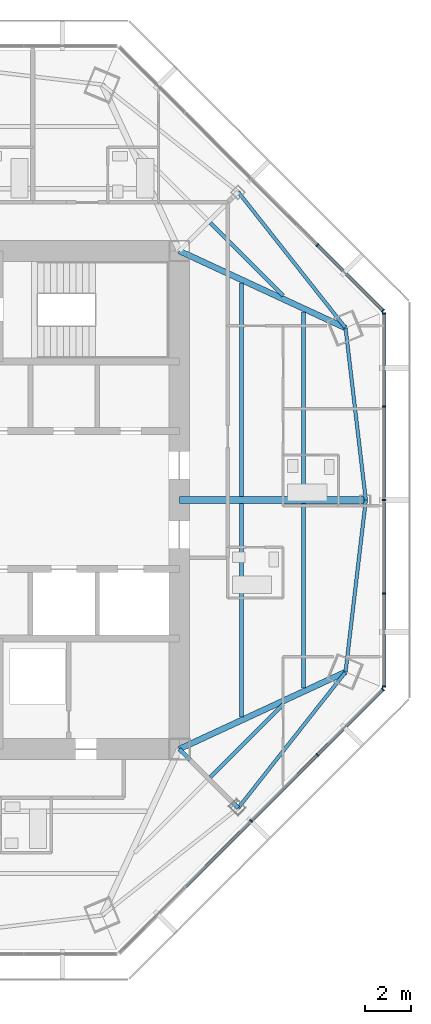
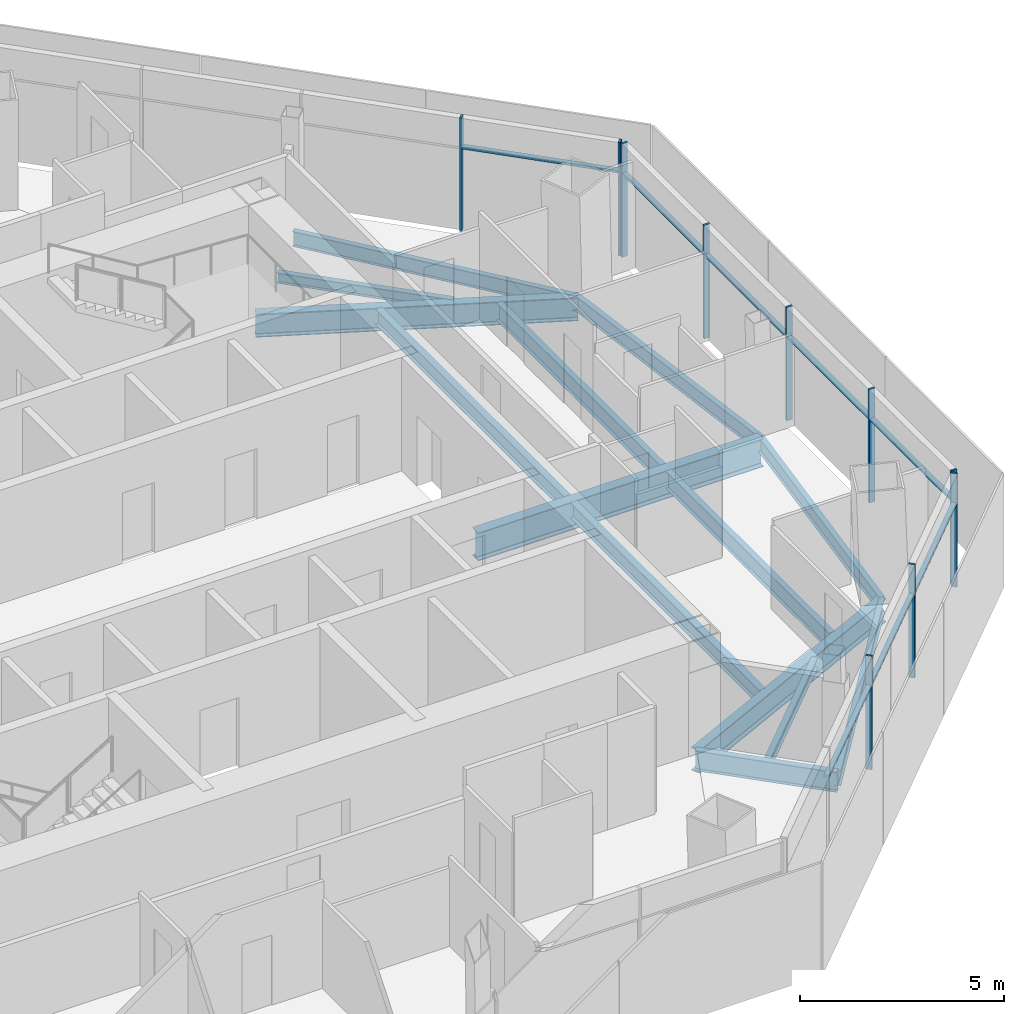
# One storey, part 5 of 15: 18 members, 14 beams, 3 elements without a shape of their own.
"""IFC4 building model written with IfcOpenShell, lengths in metres."""

from ifc_helpers import new_model, si_unit, direction, frame, origin, origin_2d, place, context, subcontext, project, spatial, rectangle, i_section, extrude, source, transform, mapped, material, material_profile, profile_set, type_object, type_shapes, element, aggregate, save


model = new_model("IFC4")

# Units and contexts
model_context = context("Model", 3, precision=1e-05, world=origin(), true_north=direction((0.0, 1.0)))
body_context = subcontext(model_context, "Body", "Model", "MODEL_VIEW")
ifc_project = project(units=[si_unit("LENGTHUNIT", "METRE"), si_unit("AREAUNIT", "SQUARE_METRE"), si_unit("VOLUMEUNIT", "CUBIC_METRE"), si_unit("PLANEANGLEUNIT", "RADIAN"), si_unit("MASSUNIT", "GRAM", prefix="KILO")], contexts=[model_context])

# Site, building, storey
site_placement = place(None, origin())
site = spatial("IfcSite", under=ifc_project, at=site_placement, CompositionType="ELEMENT")
building_placement = place(site_placement, origin())
building = spatial("IfcBuilding", under=site, at=building_placement, Name="Mashrafa Tower", CompositionType="ELEMENT")
storey_placement = place(building_placement, frame((0.0, 0.0, 294.60009765625)))
storey = spatial("IfcBuildingStorey", under=building, at=storey_placement, Name="L72", CompositionType="ELEMENT", Elevation=294.60009765625)

# Beams
ifc_material_1 = material(Name="Steel ASTM A992", Category="steel")
ifc_material_profile_1 = material_profile(ifc_material_1, i_section(OverallWidth=0.164794921875, OverallDepth=0.309814453125, WebThickness=0.005859375, FlangeThickness=0.009765625, FilletRadius=0.007568359375, at=origin_2d()), Name="W12X26")
ifc_profile_set_1 = profile_set([ifc_material_profile_1], Name="Steel ASTM A992")
beam_type_1 = type_object("IfcBeamType", Name="Beam W12X26", PredefinedType="BEAM", material=ifc_profile_set_1)
for number, where, z_axis, x_axis, name in (
    (1, (12.140380859375, 12.014404296875, -0.35498046875), (0.707106781187, -0.707106781187, 0.0), (0.707106781187, 0.707106781187, 0.0), "Floor beam L72 019"),
    (2, (15.298095703125, -8.856689453125, -0.35498046875), (-0.707106781187, -0.707106781187, 0.0), (0.707106781187, -0.707106781187, 0.0), "Floor beam L72 022"),
):
    element("IfcBeam", number, at=place(storey_placement, frame(where, z_axis=z_axis, x_axis=x_axis)), inside=storey, type_object=beam_type_1, Name=name, PredefinedType="BEAM", context=body_context, shape_type="SweptSolid", body=[
        extrude(i_section(OverallWidth=0.164794921875, OverallDepth=0.309814453125, WebThickness=0.005859375, FlangeThickness=0.009765625, FilletRadius=0.007568359375, at=origin_2d()), origin(), (0.0, 0.0, 1.0), 4.465576171875),
    ])
ifc_material_2 = material(Name="Steel ASTM A992", Category="steel")
ifc_material_profile_2 = material_profile(ifc_material_2, i_section(OverallWidth=0.15234375, OverallDepth=0.449462890625, WebThickness=0.007568359375, FlangeThickness=0.0107421875, FilletRadius=0.01025390625, at=origin_2d()), Name="W18X35")
ifc_profile_set_2 = profile_set([ifc_material_profile_2], Name="Steel ASTM A992")
beam_type_2 = type_object("IfcBeamType", Name="Beam W18X35", PredefinedType="BEAM", material=ifc_profile_set_2)
for number, where, z_axis, x_axis, name in (
    (3, (13.354736328125, -13.354736328125, -0.4248046875), (0.619579997374, 0.784933517474, 0.0), (-0.784933517474, 0.619579997374, 0.0), "Spandrel beam L72 052"),
    (4, (18.00830078125, -7.459228515625, -0.4248046875), (0.116954405516, 0.993137285087, 0.0), (-0.993137285087, 0.116954405516, 0.0), "Spandrel beam L72 054"),
    (5, (18.00830078125, 7.459228515625, -0.4248046875), (-0.619579997374, 0.784933517474, 0.0), (-0.784933517474, -0.619579997374, 0.0), "Spandrel beam L72 055"),
    (6, (18.88671875, 0.0, -0.4248046875), (-0.116954405516, 0.993137285087, 0.0), (-0.993137285087, -0.116954405516, 0.0), "Spandrel beam L72 056"),
):
    element("IfcBeam", number, at=place(storey_placement, frame(where, z_axis=z_axis, x_axis=x_axis)), inside=storey, type_object=beam_type_2, Name=name, PredefinedType="BEAM", context=body_context, shape_type="SweptSolid", body=[
        extrude(i_section(OverallWidth=0.15234375, OverallDepth=0.449462890625, WebThickness=0.007568359375, FlangeThickness=0.0107421875, FilletRadius=0.01025390625, at=origin_2d()), origin(), (0.0, 0.0, 1.0), 7.5107421875),
    ])
ifc_material_3 = material(Name="Steel ASTM A992", Category="steel")
ifc_material_profile_3 = material_profile(ifc_material_3, i_section(OverallWidth=0.191162109375, OverallDepth=0.459716796875, WebThickness=0.010009765625, FlangeThickness=0.01611328125, FilletRadius=0.01025390625, at=origin_2d()), Name="W18X55")
ifc_profile_set_3 = profile_set([ifc_material_profile_3], Name="Steel ASTM A992")
beam_type_3 = type_object("IfcBeamType", Name="Beam W18X55", PredefinedType="BEAM", material=ifc_profile_set_3)
for number, where, z_axis, x_axis, name in (
    (7, (13.49560546875, -0.14599609375, -0.429931640625), (0.0, -1.0, 0.0), (1.0, 0.0, 0.0), "Floor beam L72 020"),
    (8, (13.49560546875, 9.409423828125, -0.429931640625), (0.0, -1.0, 0.0), (1.0, 0.0, 0.0), "Floor beam L72 021"),
):
    element("IfcBeam", number, at=place(storey_placement, frame(where, z_axis=z_axis, x_axis=x_axis)), inside=storey, type_object=beam_type_3, Name=name, PredefinedType="BEAM", context=body_context, shape_type="SweptSolid", body=[
        extrude(i_section(OverallWidth=0.191162109375, OverallDepth=0.459716796875, WebThickness=0.010009765625, FlangeThickness=0.01611328125, FilletRadius=0.01025390625, at=origin_2d()), origin(), (0.0, 0.0, 1.0), 9.263427734375),
    ])
ifc_material_4 = material(Name="Steel ASTM A992", Category="steel")
ifc_material_profile_4 = material_profile(ifc_material_4, i_section(OverallWidth=0.165771484375, OverallDepth=0.5283203125, WebThickness=0.009765625, FlangeThickness=0.013671875, FilletRadius=0.012939453125, at=origin_2d()), Name="W21X50")
ifc_profile_set_4 = profile_set([ifc_material_profile_4], Name="Steel ASTM A992")
beam_type_4 = type_object("IfcBeamType", Name="Beam W21X50", PredefinedType="BEAM", material=ifc_profile_set_4)
for number, where, z_axis, x_axis, name in (
    (9, (16.191162109375, -0.14599609375, -0.46435546875), (0.0, -1.0, 0.0), (1.0, 0.0, 0.0), "Floor beam L72 023"),
    (10, (16.191162109375, 8.16015625, -0.46435546875), (0.0, -1.0, 0.0), (1.0, 0.0, 0.0), "Floor beam L72 024"),
):
    element("IfcBeam", number, at=place(storey_placement, frame(where, z_axis=z_axis, x_axis=x_axis)), inside=storey, type_object=beam_type_4, Name=name, PredefinedType="BEAM", context=body_context, shape_type="SweptSolid", body=[
        extrude(i_section(OverallWidth=0.165771484375, OverallDepth=0.5283203125, WebThickness=0.009765625, FlangeThickness=0.013671875, FilletRadius=0.012939453125, at=origin_2d()), origin(), (0.0, 0.0, 1.0), 8.01416015625),
    ])
ifc_material_5 = material(Name="Steel ASTM A992", Category="steel")
ifc_material_profile_5 = material_profile(ifc_material_5, i_section(OverallWidth=0.177978515625, OverallDepth=0.599365234375, WebThickness=0.010009765625, FlangeThickness=0.012939453125, FilletRadius=0.012939453125, at=origin_2d()), Name="W24X55")
ifc_profile_set_5 = profile_set([ifc_material_profile_5], Name="Steel ASTM A992")
beam_type_5 = type_object("IfcBeamType", Name="Beam W24X55", PredefinedType="BEAM", material=ifc_profile_set_5)
beam_1_placement = place(storey_placement, frame((10.800048828125, -10.800048828125, -0.499755859375), z_axis=(0.707106781187, -0.707106781187, 0.0), x_axis=(0.707106781187, 0.707106781187, 0.0)))
element("IfcBeam", 11, at=beam_1_placement, inside=storey, type_object=beam_type_5, Name="Radial girder L72 035", PredefinedType="BEAM", context=body_context, shape_type="SweptSolid", body=[
    extrude(i_section(OverallWidth=0.177978515625, OverallDepth=0.599365234375, WebThickness=0.010009765625, FlangeThickness=0.012939453125, FilletRadius=0.012939453125, at=origin_2d()), origin(), (0.0, 0.0, 1.0), 3.61279296875),
])
ifc_material_6 = material(Name="Steel ASTM A992", Category="steel")
ifc_material_profile_6 = material_profile(ifc_material_6, i_section(OverallWidth=0.256591796875, OverallDepth=0.693359375, WebThickness=0.014404296875, FlangeThickness=0.023681640625, FilletRadius=0.01513671875, at=origin_2d()), Name="W27X114")
ifc_profile_set_6 = profile_set([ifc_material_profile_6], Name="Steel ASTM A992")
beam_type_6 = type_object("IfcBeamType", Name="Beam W27X114", PredefinedType="BEAM", material=ifc_profile_set_6)
for number, where, z_axis, x_axis, name in (
    (12, (10.800048828125, -10.800048828125, -0.546875), (0.907290876602, 0.420503585281, 0.0), (-0.420503585281, 0.907290876602, 0.0), "Radial girder L72 036"),
    (13, (10.800048828125, 10.800048828125, -0.546875), (0.907290876602, -0.420503585281, 0.0), (0.420503585281, 0.907290876602, 0.0), "Radial girder L72 040"),
):
    element("IfcBeam", number, at=place(storey_placement, frame(where, z_axis=z_axis, x_axis=x_axis)), inside=storey, type_object=beam_type_6, Name=name, PredefinedType="BEAM", context=body_context, shape_type="SweptSolid", body=[
        extrude(i_section(OverallWidth=0.256591796875, OverallDepth=0.693359375, WebThickness=0.014404296875, FlangeThickness=0.023681640625, FilletRadius=0.01513671875, at=origin_2d()), origin(), (0.0, 0.0, 1.0), 7.94482421875),
    ])
ifc_material_7 = material(Name="Steel ASTM A992", Category="steel")
ifc_material_profile_7 = material_profile(ifc_material_7, i_section(OverallWidth=0.2919921875, OverallDepth=0.8408203125, WebThickness=0.0146484375, FlangeThickness=0.021728515625, FilletRadius=0.017333984375, at=origin_2d()), Name="W33X130")
ifc_profile_set_7 = profile_set([ifc_material_profile_7], Name="Steel ASTM A992")
beam_type_7 = type_object("IfcBeamType", Name="Beam W33X130", PredefinedType="BEAM", material=ifc_profile_set_7)
beam_2_placement = place(storey_placement, frame((10.800048828125, 0.0, -0.620361328125), z_axis=(1.0, 0.0, 0.0), x_axis=(0.0, 1.0, 0.0)))
element("IfcBeam", 14, at=beam_2_placement, inside=storey, type_object=beam_type_7, Name="Radial girder L72 037", PredefinedType="BEAM", context=body_context, shape_type="SweptSolid", body=[
    extrude(i_section(OverallWidth=0.2919921875, OverallDepth=0.8408203125, WebThickness=0.0146484375, FlangeThickness=0.021728515625, FilletRadius=0.017333984375, at=origin_2d()), origin(), (0.0, 0.0, 1.0), 8.086669921875),
])

# Curtain wall, members
ifc_material_8 = material(Name="Unitised aluminium curtain wall", Category="aluminium")
curtain_wall_type = type_object("IfcCurtainWallType", Name="Apartment curtain wall, zone 4 CW-D 160 deep", PredefinedType="NOTDEFINED", material=ifc_material_8)
curtain_wall_1_placement = place(storey_placement, origin())
curtain_wall_1 = element("IfcCurtainWall", 15, at=curtain_wall_1_placement, inside=storey, type_object=curtain_wall_type, Name="Apartment curtain wall, zone 4 L72 east", PredefinedType="NOTDEFINED")
ifc_material_9 = material(Name="Extruded aluminium mullion", Category="aluminium")
ifc_material_profile_8 = material_profile(ifc_material_9, rectangle(XDim=0.159912109375, YDim=0.06005859375, at=origin_2d()), Name="Mullion 60x160")
ifc_profile_set_8 = profile_set([ifc_material_profile_8], Name="Extruded aluminium mullion")
member_type_1 = type_object("IfcMemberType", Name="Mullion CW-D 60 x 160", PredefinedType="MULLION", material=ifc_profile_set_8)
shared_shape_1 = source(origin(), body_context, "Body", "SweptSolid", [
    extrude(rectangle(XDim=0.159912109375, YDim=0.06005859375, at=origin_2d()), origin(), (0.0, 0.0, 1.0), 3.39990234375),
])
type_shapes(member_type_1, [shared_shape_1])
member_1_placement = place(storey_placement, frame((19.680908203125, -8.078857421875, 0.0), z_axis=(0.0, 0.0, 1.0), x_axis=(-1.0, 0.0, 0.0)))
member_1 = element("IfcMember", 16, at=member_1_placement, type_object=member_type_1, Name="CW-D mullion 1", PredefinedType="MULLION", context=body_context, shape_type="MappedRepresentation", body=[
    mapped(shared_shape_1, transform((0.0, 0.0, 0.0))),
])
member_2_placement = place(storey_placement, frame((19.680908203125, -4.054443359375, 0.0), z_axis=(0.0, 0.0, 1.0), x_axis=(-1.0, 0.0, 0.0)))
member_2 = element("IfcMember", 17, at=member_2_placement, type_object=member_type_1, Name="CW-D mullion 2", PredefinedType="MULLION", context=body_context, shape_type="MappedRepresentation", body=[
    mapped(shared_shape_1, transform((0.0, 0.0, 0.0))),
])
member_3_placement = place(storey_placement, frame((19.680908203125, 0.0, 0.0), z_axis=(0.0, 0.0, 1.0), x_axis=(-1.0, 0.0, 0.0)))
member_3 = element("IfcMember", 18, at=member_3_placement, type_object=member_type_1, Name="CW-D mullion 3", PredefinedType="MULLION", context=body_context, shape_type="MappedRepresentation", body=[
    mapped(shared_shape_1, transform((0.0, 0.0, 0.0))),
])
member_4_placement = place(storey_placement, frame((19.680908203125, 4.054443359375, 0.0), z_axis=(0.0, 0.0, 1.0), x_axis=(-1.0, 0.0, 0.0)))
member_4 = element("IfcMember", 19, at=member_4_placement, type_object=member_type_1, Name="CW-D mullion 4", PredefinedType="MULLION", context=body_context, shape_type="MappedRepresentation", body=[
    mapped(shared_shape_1, transform((0.0, 0.0, 0.0))),
])
member_5_placement = place(storey_placement, frame((19.680908203125, 8.078857421875, 0.0), z_axis=(0.0, 0.0, 1.0), x_axis=(-1.0, 0.0, 0.0)))
member_5 = element("IfcMember", 20, at=member_5_placement, type_object=member_type_1, Name="CW-D mullion 5", PredefinedType="MULLION", context=body_context, shape_type="MappedRepresentation", body=[
    mapped(shared_shape_1, transform((0.0, 0.0, 0.0))),
])

curtain_wall_2_placement = place(storey_placement, origin())
curtain_wall_2 = element("IfcCurtainWall", 21, at=curtain_wall_2_placement, inside=storey, type_object=curtain_wall_type, Name="Apartment curtain wall, zone 4 L72 north-east", PredefinedType="NOTDEFINED")
member_6_placement = place(storey_placement, frame((19.629150390625, 8.203857421875, 0.0), z_axis=(0.0, 0.0, 1.0), x_axis=(-0.707106781187, -0.707106781187, 0.0)))
member_6 = element("IfcMember", 22, at=member_6_placement, type_object=member_type_1, Name="CW-D mullion 1", PredefinedType="MULLION", context=body_context, shape_type="MappedRepresentation", body=[
    mapped(shared_shape_1, transform((0.0, 0.0, 0.0))),
])
member_7_placement = place(storey_placement, frame((16.783447265625, 11.049560546875, 0.0), z_axis=(0.0, 0.0, 1.0), x_axis=(-0.707106781187, -0.707106781187, 0.0)))
member_7 = element("IfcMember", 23, at=member_7_placement, type_object=member_type_1, Name="CW-D mullion 2", PredefinedType="MULLION", context=body_context, shape_type="MappedRepresentation", body=[
    mapped(shared_shape_1, transform((0.0, 0.0, 0.0))),
])

curtain_wall_3_placement = place(storey_placement, origin())
curtain_wall_3 = element("IfcCurtainWall", 24, at=curtain_wall_3_placement, inside=storey, type_object=curtain_wall_type, Name="Apartment curtain wall, zone 4 L72 south-east", PredefinedType="NOTDEFINED")
member_8_placement = place(storey_placement, frame((13.91650390625, -13.91650390625, 0.0), z_axis=(0.0, 0.0, 1.0), x_axis=(-0.707106781187, 0.707106781187, 0.0)))
member_8 = element("IfcMember", 25, at=member_8_placement, type_object=member_type_1, Name="CW-D mullion 3", PredefinedType="MULLION", context=body_context, shape_type="MappedRepresentation", body=[
    mapped(shared_shape_1, transform((0.0, 0.0, 0.0))),
])
member_9_placement = place(storey_placement, frame((16.783447265625, -11.049560546875, 0.0), z_axis=(0.0, 0.0, 1.0), x_axis=(-0.707106781187, 0.707106781187, 0.0)))
member_9 = element("IfcMember", 26, at=member_9_placement, type_object=member_type_1, Name="CW-D mullion 4", PredefinedType="MULLION", context=body_context, shape_type="MappedRepresentation", body=[
    mapped(shared_shape_1, transform((0.0, 0.0, 0.0))),
])
member_10_placement = place(storey_placement, frame((19.629150390625, -8.203857421875, 0.0), z_axis=(0.0, 0.0, 1.0), x_axis=(-0.707106781187, 0.707106781187, 0.0)))
member_10 = element("IfcMember", 27, at=member_10_placement, type_object=member_type_1, Name="CW-D mullion 5", PredefinedType="MULLION", context=body_context, shape_type="MappedRepresentation", body=[
    mapped(shared_shape_1, transform((0.0, 0.0, 0.0))),
])

# Member
ifc_material_10 = material(Name="Extruded aluminium transom", Category="aluminium")
ifc_material_profile_9 = material_profile(ifc_material_10, rectangle(XDim=0.1279296875, YDim=0.074951171875, at=origin_2d()), Name="Transom 75x128")
ifc_profile_set_9 = profile_set([ifc_material_profile_9], Name="Extruded aluminium transom")
member_type_2 = type_object("IfcMemberType", Name="Transom CW-D 75 x 128", PredefinedType="MULLION", material=ifc_profile_set_9)
shared_shape_2 = source(origin(), body_context, "Body", "SweptSolid", [
    extrude(rectangle(XDim=0.1279296875, YDim=0.074951171875, at=origin_2d()), origin(), (0.0, 0.0, 1.0), 3.964599609375),
])
member_11_placement = place(storey_placement, frame((19.680908203125, -8.049072265625, 2.5), z_axis=(0.0, 1.0, 0.0), x_axis=(-1.0, 0.0, 0.0)))
member_11 = element("IfcMember", 28, at=member_11_placement, type_object=member_type_2, Name="CW-D transom 1", PredefinedType="MULLION", context=body_context, shape_type="MappedRepresentation", body=[
    mapped(shared_shape_2, transform((0.0, 0.0, 0.0))),
])

member_12_placement = place(storey_placement, frame((19.680908203125, 4.08447265625, 2.5), z_axis=(0.0, 1.0, 0.0), x_axis=(-1.0, 0.0, 0.0)))
member_12 = element("IfcMember", 29, at=member_12_placement, type_object=member_type_2, Name="CW-D transom 4", PredefinedType="MULLION", context=body_context, shape_type="MappedRepresentation", body=[
    mapped(shared_shape_2, transform((0.0, 0.0, 0.0))),
])

shared_shape_3 = source(origin(), body_context, "Body", "SweptSolid", [
    extrude(rectangle(XDim=0.1279296875, YDim=0.074951171875, at=origin_2d()), origin(), (0.0, 0.0, 1.0), 3.994384765625),
])
member_13_placement = place(storey_placement, frame((19.680908203125, -4.0244140625, 2.5), z_axis=(0.0, 1.0, 0.0), x_axis=(-1.0, 0.0, 0.0)))
member_13 = element("IfcMember", 30, at=member_13_placement, type_object=member_type_2, Name="CW-D transom 2", PredefinedType="MULLION", context=body_context, shape_type="MappedRepresentation", body=[
    mapped(shared_shape_3, transform((0.0, 0.0, 0.0))),
])

member_14_placement = place(storey_placement, frame((19.680908203125, 0.030029296875, 2.5), z_axis=(0.0, 1.0, 0.0), x_axis=(-1.0, 0.0, 0.0)))
member_14 = element("IfcMember", 31, at=member_14_placement, type_object=member_type_2, Name="CW-D transom 3", PredefinedType="MULLION", context=body_context, shape_type="MappedRepresentation", body=[
    mapped(shared_shape_3, transform((0.0, 0.0, 0.0))),
])

aggregate(curtain_wall_1, [member_1, member_2, member_3, member_4, member_5, member_11, member_13, member_14, member_12])

member_15_placement = place(storey_placement, frame((11.07080078125, -16.76220703125, 2.5), z_axis=(0.707106781187, 0.707106781187, 0.0), x_axis=(-0.707106781187, 0.707106781187, 0.0)))
member_15 = element("IfcMember", 32, at=member_15_placement, type_object=member_type_2, Name="CW-D transom 2", PredefinedType="MULLION", context=body_context, shape_type="MappedRepresentation", body=[
    mapped(shared_shape_3, transform((0.0, 0.0, 0.0))),
])

member_16_placement = place(storey_placement, frame((13.937744140625, -13.895263671875, 2.5), z_axis=(0.707106781187, 0.707106781187, 0.0), x_axis=(-0.707106781187, 0.707106781187, 0.0)))
member_16 = element("IfcMember", 33, at=member_16_placement, type_object=member_type_2, Name="CW-D transom 3", PredefinedType="MULLION", context=body_context, shape_type="MappedRepresentation", body=[
    mapped(shared_shape_3, transform((0.0, 0.0, 0.0))),
])

shared_shape_4 = source(origin(), body_context, "Body", "SweptSolid", [
    extrude(rectangle(XDim=0.1279296875, YDim=0.074951171875, at=origin_2d()), origin(), (0.0, 0.0, 1.0), 3.96435546875),
])
type_shapes(member_type_2, [shared_shape_2, shared_shape_3, shared_shape_4])
member_17_placement = place(storey_placement, frame((19.60791015625, 8.22509765625, 2.5), z_axis=(-0.707106781187, 0.707106781187, 0.0), x_axis=(-0.707106781187, -0.707106781187, 0.0)))
member_17 = element("IfcMember", 34, at=member_17_placement, type_object=member_type_2, Name="CW-D transom 1", PredefinedType="MULLION", context=body_context, shape_type="MappedRepresentation", body=[
    mapped(shared_shape_4, transform((0.0, 0.0, 0.0))),
])

aggregate(curtain_wall_2, [member_6, member_7, member_17])

member_18_placement = place(storey_placement, frame((16.8046875, -11.0283203125, 2.5), z_axis=(0.707106781187, 0.707106781187, 0.0), x_axis=(-0.707106781187, 0.707106781187, 0.0)))
member_18 = element("IfcMember", 35, at=member_18_placement, type_object=member_type_2, Name="CW-D transom 4", PredefinedType="MULLION", context=body_context, shape_type="MappedRepresentation", body=[
    mapped(shared_shape_4, transform((0.0, 0.0, 0.0))),
])

aggregate(curtain_wall_3, [member_8, member_9, member_10, member_15, member_16, member_18])

save(model, "model.ifc")
